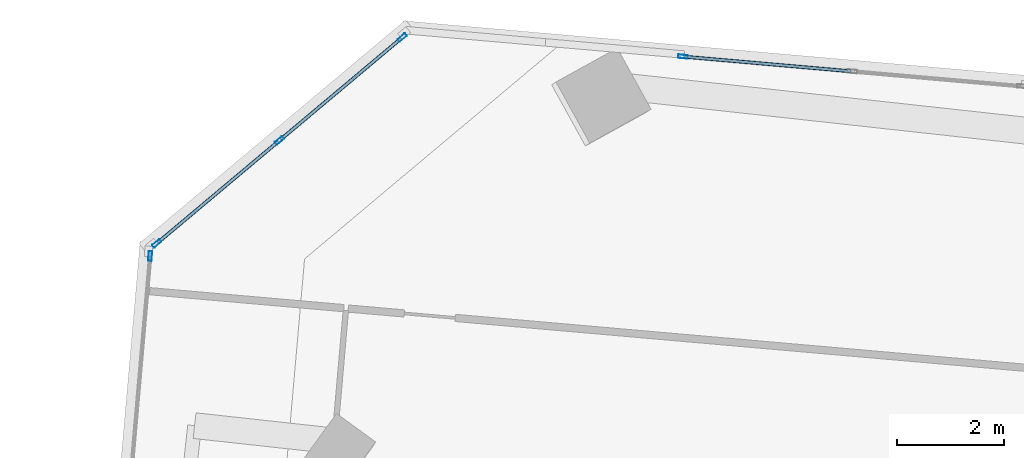
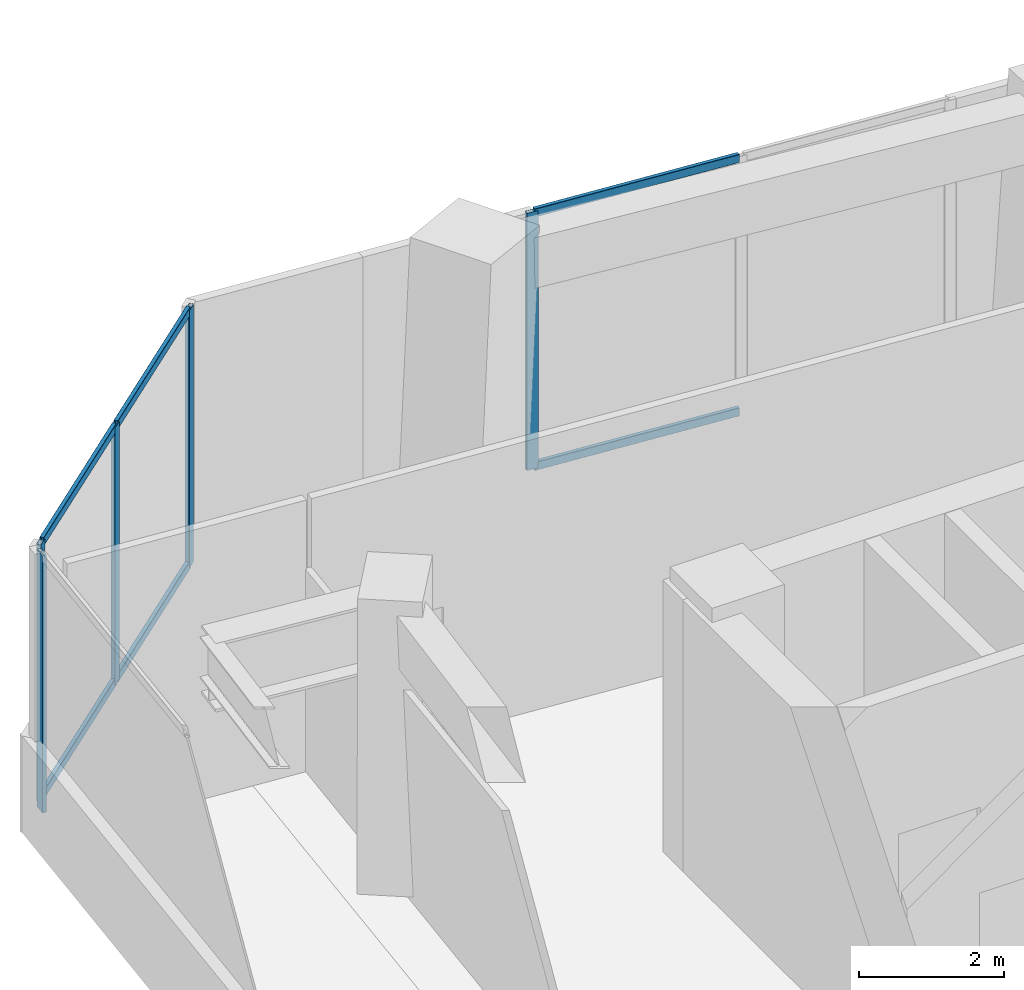
# One storey, part 14 of 24: 11 members, 3 elements without a shape of their own.
"""IFC4 building model written with IfcOpenShell, lengths in metres."""

from ifc_helpers import new_model, si_unit, direction, frame, origin, origin_2d, place, context, subcontext, project, spatial, hollow_rectangle, extrude, source, transform, mapped, material, material_profile, profile_set, type_object, element, aggregate, save


model = new_model("IFC4")

# Units and contexts
model_context = context("Model", 3, precision=1e-05, world=origin(), true_north=direction((0.0, 1.0)))
body_context = subcontext(model_context, "Body", "Model", "MODEL_VIEW")
ifc_project = project(units=[si_unit("LENGTHUNIT", "METRE"), si_unit("AREAUNIT", "SQUARE_METRE"), si_unit("VOLUMEUNIT", "CUBIC_METRE"), si_unit("PLANEANGLEUNIT", "RADIAN"), si_unit("MASSUNIT", "GRAM", prefix="KILO")], contexts=[model_context])

# Site, building, storey
site_placement = place(None, origin())
site = spatial("IfcSite", under=ifc_project, at=site_placement, CompositionType="ELEMENT")
building_placement = place(site_placement, origin())
building = spatial("IfcBuilding", under=site, at=building_placement, Name="Torre Montelarca", CompositionType="ELEMENT")
storey_placement = place(building_placement, frame((0.0, 0.0, 52.0)))
storey = spatial("IfcBuildingStorey", under=building, at=storey_placement, Name="L11", CompositionType="ELEMENT", Elevation=52.0)

# Curtain wall, member
ifc_material_1 = material(Name="Insulated low-E laminated glass", Category="glass")
curtain_wall_type = type_object("IfcCurtainWallType", Name="CW-SYS-Z1", PredefinedType="USERDEFINED", material=ifc_material_1)
curtain_wall_1_placement = place(storey_placement, origin())
curtain_wall_1 = element("IfcCurtainWall", 1, at=curtain_wall_1_placement, inside=storey, type_object=curtain_wall_type, Name="L11 Curtain Wall Run CW-T3-L11-E08-B4", ObjectType="UNITISED GLAZING", PredefinedType="USERDEFINED")
ifc_material_2 = material(Name="Anodised aluminium AA 6063-T6", Category="aluminium")
ifc_material_profile_1 = material_profile(ifc_material_2, hollow_rectangle(XDim=0.06494140625, YDim=0.179931640625, WallThickness=0.00390625, InnerFilletRadius=0.00390625, OuterFilletRadius=0.008056640625, at=origin_2d()), Name="ALU65X180X4", Category="aluminium")
ifc_profile_set_1 = profile_set([ifc_material_profile_1], Name="Anodised aluminium AA 6063-T6")
member_type_1 = type_object("IfcMemberType", Name="CWM-ALU180", PredefinedType="MULLION", material=ifc_profile_set_1)
shared_shape_1 = source(origin(), body_context, "Body", "SweptSolid", [
    extrude(hollow_rectangle(XDim=0.06494140625, YDim=0.179931640625, WallThickness=0.00390625, InnerFilletRadius=0.00390625, OuterFilletRadius=0.008056640625, at=origin_2d()), origin(), (0.0, 0.0, 1.0), 4.320068359375),
])
member_1_placement = place(storey_placement, frame((11.9384765625, 48.968017578125, 0.0), z_axis=(0.0, 0.0, 1.0), x_axis=(-0.087160366874, -0.996194293522, 0.0)))
member_1 = element("IfcMember", 2, at=member_1_placement, type_object=member_type_1, Name="CW mullion 3", PredefinedType="MULLION", context=body_context, shape_type="MappedRepresentation", body=[
    mapped(shared_shape_1, transform((0.0, 0.0, 0.0), scale=1.0)),
])

# Curtain wall, members
curtain_wall_2_placement = place(storey_placement, origin())
curtain_wall_2 = element("IfcCurtainWall", 3, at=curtain_wall_2_placement, inside=storey, type_object=curtain_wall_type, Name="L11 Curtain Wall Run CW-T3-L11-E09-B1", ObjectType="UNITISED GLAZING", PredefinedType="USERDEFINED")
member_2_placement = place(storey_placement, frame((6.705322265625, 49.3232421875, 0.0), z_axis=(0.0, 0.0, 1.0), x_axis=(0.642789614074, -0.766042761233, 0.0)))
member_2 = element("IfcMember", 4, at=member_2_placement, type_object=member_type_1, Name="CW mullion 1", PredefinedType="MULLION", context=body_context, shape_type="MappedRepresentation", body=[
    mapped(shared_shape_1, transform((0.0, 0.0, 0.0), scale=1.0)),
])
member_3_placement = place(storey_placement, frame((4.419677734375, 47.4052734375, 0.0), z_axis=(0.0, 0.0, 1.0), x_axis=(0.642789614074, -0.766042761233, 0.0)))
member_3 = element("IfcMember", 5, at=member_3_placement, type_object=member_type_1, Name="CW mullion 2", PredefinedType="MULLION", context=body_context, shape_type="MappedRepresentation", body=[
    mapped(shared_shape_1, transform((0.0, 0.0, 0.0), scale=1.0)),
])
member_4_placement = place(storey_placement, frame((2.134033203125, 45.487548828125, 0.0), z_axis=(0.0, 0.0, 1.0), x_axis=(0.642789614074, -0.766042761233, 0.0)))
member_4 = element("IfcMember", 6, at=member_4_placement, type_object=member_type_1, Name="CW mullion 3", PredefinedType="MULLION", context=body_context, shape_type="MappedRepresentation", body=[
    mapped(shared_shape_1, transform((0.0, 0.0, 0.0), scale=1.0)),
])

# Curtain wall, member
curtain_wall_3_placement = place(storey_placement, origin())
curtain_wall_3 = element("IfcCurtainWall", 7, at=curtain_wall_3_placement, inside=storey, type_object=curtain_wall_type, Name="L11 Curtain Wall Run CW-T3-L11-E10-B1", ObjectType="UNITISED GLAZING", PredefinedType="USERDEFINED")
member_5_placement = place(storey_placement, frame((2.0107421875, 45.250732421875, 0.0), z_axis=(0.0, 0.0, 1.0), x_axis=(0.99619413316, -0.087162199711, 0.0)))
member_5 = element("IfcMember", 8, at=member_5_placement, type_object=member_type_1, Name="CW mullion 1", PredefinedType="MULLION", context=body_context, shape_type="MappedRepresentation", body=[
    mapped(shared_shape_1, transform((0.0, 0.0, 0.0), scale=1.0)),
])
aggregate(curtain_wall_3, [member_5])

# Member
ifc_material_profile_2 = material_profile(ifc_material_2, hollow_rectangle(XDim=0.06494140625, YDim=0.139892578125, WallThickness=0.00390625, InnerFilletRadius=0.00390625, OuterFilletRadius=0.008056640625, at=origin_2d()), Name="ALU65X140X4", Category="aluminium")
ifc_profile_set_2 = profile_set([ifc_material_profile_2], Name="Anodised aluminium AA 6063-T6")
member_type_2 = type_object("IfcMemberType", Name="CWT-ALU140", PredefinedType="USERDEFINED", material=ifc_profile_set_2)
shared_shape_2 = source(origin(), body_context, "Body", "SweptSolid", [
    extrude(hollow_rectangle(XDim=0.06494140625, YDim=0.139892578125, WallThickness=0.00390625, InnerFilletRadius=0.00390625, OuterFilletRadius=0.008056640625, at=origin_2d()), origin(), (0.0, 0.0, 1.0), 2.918701171875),
])
member_6_placement = place(storey_placement, frame((6.680419921875, 49.30224609375, 0.032470703125), z_axis=(-0.766063983954, -0.642764321107, 0.0), x_axis=(0.642764321107, -0.766063983954, 0.0)))
member_6 = element("IfcMember", 9, at=member_6_placement, type_object=member_type_2, Name="CW transom 1.1", ObjectType="TRANSOM", PredefinedType="USERDEFINED", context=body_context, shape_type="MappedRepresentation", body=[
    mapped(shared_shape_2, transform((0.0, 0.0, 0.0), scale=1.0)),
])

member_7_placement = place(storey_placement, frame((6.680419921875, 49.30224609375, 4.28759765625), z_axis=(-0.766063983954, -0.642764321107, 0.0), x_axis=(0.642764321107, -0.766063983954, 0.0)))
member_7 = element("IfcMember", 10, at=member_7_placement, type_object=member_type_2, Name="CW transom 1.2", ObjectType="TRANSOM", PredefinedType="USERDEFINED", context=body_context, shape_type="MappedRepresentation", body=[
    mapped(shared_shape_2, transform((0.0, 0.0, 0.0), scale=1.0)),
])

member_8_placement = place(storey_placement, frame((4.394775390625, 47.384521484375, 0.032470703125), z_axis=(-0.766022795599, -0.642813407314, 0.0), x_axis=(0.642813407314, -0.766022795599, 0.0)))
member_8 = element("IfcMember", 11, at=member_8_placement, type_object=member_type_2, Name="CW transom 2.1", ObjectType="TRANSOM", PredefinedType="USERDEFINED", context=body_context, shape_type="MappedRepresentation", body=[
    mapped(shared_shape_2, transform((0.0, 0.0, 0.0), scale=1.0)),
])

member_9_placement = place(storey_placement, frame((4.394775390625, 47.384521484375, 4.28759765625), z_axis=(-0.766022795599, -0.642813407314, 0.0), x_axis=(0.642813407314, -0.766022795599, 0.0)))
member_9 = element("IfcMember", 12, at=member_9_placement, type_object=member_type_2, Name="CW transom 2.2", ObjectType="TRANSOM", PredefinedType="USERDEFINED", context=body_context, shape_type="MappedRepresentation", body=[
    mapped(shared_shape_2, transform((0.0, 0.0, 0.0), scale=1.0)),
])

aggregate(curtain_wall_2, [member_2, member_3, member_4, member_6, member_7, member_8, member_9])

shared_shape_3 = source(origin(), body_context, "Body", "SweptSolid", [
    extrude(hollow_rectangle(XDim=0.06494140625, YDim=0.139892578125, WallThickness=0.00390625, InnerFilletRadius=0.00390625, OuterFilletRadius=0.008056640625, at=origin_2d()), origin(), (0.0, 0.0, 1.0), 3.105712890625),
])
member_10_placement = place(storey_placement, frame((15.064697265625, 48.6943359375, 0.032470703125), z_axis=(-0.996192949544, 0.08717572643, 0.0), x_axis=(-0.08717572643, -0.996192949544, 0.0)))
member_10 = element("IfcMember", 13, at=member_10_placement, type_object=member_type_2, Name="CW transom 2.1", ObjectType="TRANSOM", PredefinedType="USERDEFINED", context=body_context, shape_type="MappedRepresentation", body=[
    mapped(shared_shape_3, transform((0.0, 0.0, 0.0), scale=1.0)),
])

member_11_placement = place(storey_placement, frame((15.064697265625, 48.6943359375, 4.28759765625), z_axis=(-0.996192949544, 0.08717572643, 0.0), x_axis=(-0.08717572643, -0.996192949544, 0.0)))
member_11 = element("IfcMember", 14, at=member_11_placement, type_object=member_type_2, Name="CW transom 2.2", ObjectType="TRANSOM", PredefinedType="USERDEFINED", context=body_context, shape_type="MappedRepresentation", body=[
    mapped(shared_shape_3, transform((0.0, 0.0, 0.0), scale=1.0)),
])

aggregate(curtain_wall_1, [member_1, member_10, member_11])

save(model, "model.ifc")
